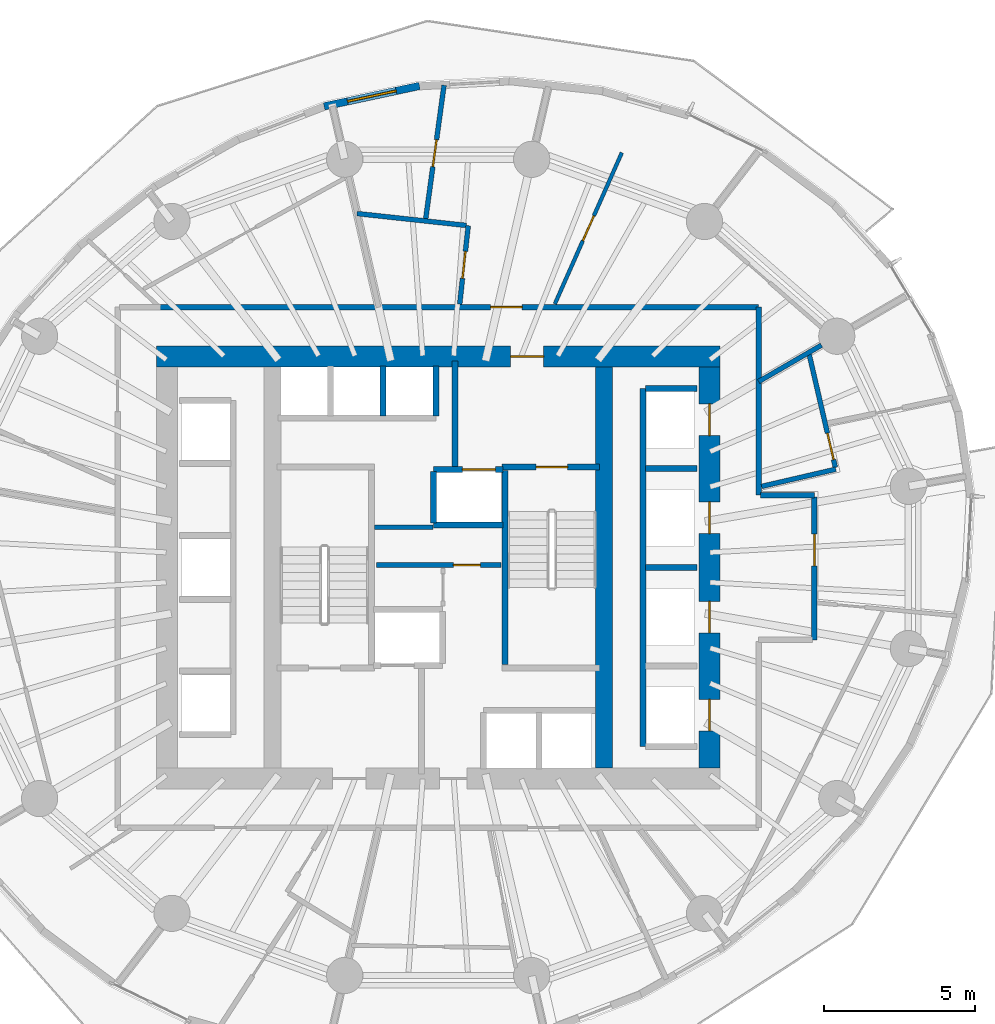
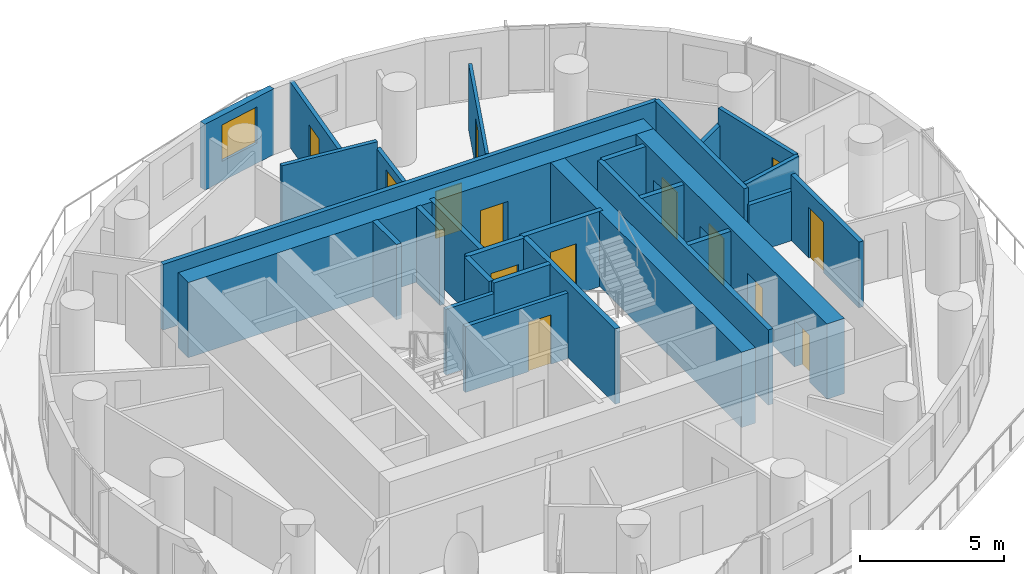
# One storey, part 9 of 15: 29 walls, 14 doors, 1 window, 15 openings.
"""IFC4 building model written with IfcOpenShell, lengths in metres."""

from ifc_helpers import new_model, si_unit, direction, frame, frame_2d, origin, place, context, subcontext, project, spatial, rectangle, extrude, material, layer, layer_set, type_object, element, fill, save


model = new_model("IFC4")

# Units and contexts
model_context = context("Model", 3, precision=1e-05, world=origin(), true_north=direction((0.0, 1.0)))
body_context = subcontext(model_context, "Body", "Model", "MODEL_VIEW")
ifc_project = project(units=[si_unit("LENGTHUNIT", "METRE"), si_unit("AREAUNIT", "SQUARE_METRE"), si_unit("VOLUMEUNIT", "CUBIC_METRE"), si_unit("PLANEANGLEUNIT", "RADIAN"), si_unit("MASSUNIT", "GRAM", prefix="KILO")], contexts=[model_context])

# Site, building, storey
site_placement = place(None, origin())
site = spatial("IfcSite", under=ifc_project, at=site_placement, CompositionType="ELEMENT")
building_placement = place(site_placement, origin())
building = spatial("IfcBuilding", under=site, at=building_placement, Name="Veldorim Arch Residences", CompositionType="ELEMENT")
storey_placement = place(building_placement, frame((0.0, 0.0, 109.280029296875)))
storey = spatial("IfcBuildingStorey", under=building, at=storey_placement, Name="L32", CompositionType="ELEMENT", Elevation=109.280029296875)

# Wall, opening, door
ifc_material_1 = material(Name="Acoustic Gypsum Board", Category="gypsum")
ifc_layer_1 = layer(ifc_material_1, 0.125, Name="Acoustic Stud Room Partition Wall 125")
ifc_layer_set_1 = layer_set([ifc_layer_1], Name="Acoustic Gypsum Board")
wall_type_1 = type_object("IfcWallType", Name="Acoustic Stud Room Partition Wall 125", PredefinedType="PARTITIONING", material=ifc_layer_set_1)
wall_1_placement = place(storey_placement, frame((38.091064453125, 37.756103515625, 0.0), z_axis=(0.0, 0.0, 1.0), x_axis=(-0.404874602407, -0.914372219791, 0.0)))
wall_1 = element("IfcWall", 1, at=wall_1_placement, inside=storey, type_object=wall_type_1, Name="L32 interior wall WL-RES-L32-023", PredefinedType="PARTITIONING", context=body_context, shape_type="SweptSolid", body=[
    extrude(rectangle(XDim=5.486083984375, YDim=0.125, at=frame_2d((2.7431640625, 0.0))), origin(), (0.0, 0.0, 1.0), 2.794921875),
])
opening_1_placement = place(wall_1_placement, frame((2.29296875, 0.0, 0.0)))
opening_1 = element("IfcOpeningElement", 2, at=opening_1_placement, cuts=wall_1, Name="Opening DR-INT", PredefinedType="OPENING", context=body_context, shape_type="SweptSolid", body=[
    extrude(rectangle(XDim=0.89990234375, YDim=2.10009765625, at=frame_2d((0.449951171875, 1.050048828125))), frame((0.0, 0.072509765625, 0.0), z_axis=(0.0, -1.0, 0.0), x_axis=(1.0, 0.0, 0.0)), (0.0, 0.0, 1.0), 0.14501953125),
])
ifc_material_2 = material(Name="Engineered Timber", Category="wood")
door_type_1 = type_object("IfcDoorType", Name="Apartment Internal Room Timber Door 900x2100", OperationType="SINGLE_SWING_LEFT", PredefinedType="DOOR", material=ifc_material_2)
door_1_placement = place(opening_1_placement, origin())
door_1 = element("IfcDoor", 3, at=door_1_placement, inside=storey, type_object=door_type_1, Name="L32 interior door DR-RES-L32-012", OperationType="SINGLE_SWING_RIGHT", OverallHeight=2.10009765625, OverallWidth=0.89990234375, PredefinedType="DOOR", context=body_context, shape_type="SweptSolid", body=[
    extrude(rectangle(XDim=0.89990234375, YDim=2.10009765625, at=frame_2d((0.449951171875, 1.050048828125))), frame((0.0, 0.02490234375, 0.0), z_axis=(0.0, -1.0, 0.0), x_axis=(1.0, 0.0, 0.0)), (0.0, 0.0, 1.0), 0.050048828125),
])
fill(opening_1, door_1)

# Walls
ifc_material_3 = material(Name="Lightweight Masonry Block & Gypsum", Category="masonry")
ifc_layer_2 = layer(ifc_material_3, 0.179931640625, Name="Compartment & Corridor Fire-Rated Party Wall 180")
ifc_layer_set_2 = layer_set([ifc_layer_2], Name="Lightweight Masonry Block & Gypsum")
wall_type_2 = type_object("IfcWallType", Name="Compartment & Corridor Fire-Rated Party Wall 180", PredefinedType="PARTITIONING", material=ifc_layer_set_2)
wall_2_placement = place(storey_placement, frame((42.6298828125, 32.6298828125, 0.0), z_axis=(0.0, 0.0, 1.0), x_axis=(0.0, -1.0, 0.0)))
element("IfcWall", 4, at=wall_2_placement, inside=storey, type_object=wall_type_2, Name="L32 interior wall WL-RES-L32-002", PredefinedType="PARTITIONING", context=body_context, shape_type="SweptSolid", body=[
    extrude(rectangle(XDim=6.22998046875, YDim=0.179931640625, at=frame_2d((3.114990234375, 0.0))), origin(), (0.0, 0.0, 1.0), 2.794921875),
])
wall_3_placement = place(storey_placement, frame((42.68994140625, 26.39990234375, 0.0), z_axis=(0.0, 0.0, 1.0), x_axis=(1.0, 0.0, 0.0)))
element("IfcWall", 5, at=wall_3_placement, inside=storey, type_object=wall_type_2, Name="L32 interior wall WL-RES-L32-003", PredefinedType="PARTITIONING", context=body_context, shape_type="SweptSolid", body=[
    extrude(rectangle(XDim=1.7900390625, YDim=0.179931640625, at=frame_2d((0.89501953125, 0.0))), origin(), (0.0, 0.0, 1.0), 2.100341796875),
])

# Wall, opening, door
wall_4_placement = place(storey_placement, frame((44.47998046875, 26.340087890625, 0.0), z_axis=(0.0, 0.0, 1.0), x_axis=(0.0, -1.0, 0.0)))
wall_4 = element("IfcWall", 6, at=wall_4_placement, inside=storey, type_object=wall_type_2, Name="L32 interior wall WL-RES-L32-004", PredefinedType="PARTITIONING", context=body_context, shape_type="SweptSolid", body=[
    extrude(rectangle(XDim=4.739990234375, YDim=0.179931640625, at=frame_2d((2.3701171875, 0.0))), origin(), (0.0, 0.0, 1.0), 2.794921875),
])
opening_2_placement = place(wall_4_placement, frame((1.238525390625, 0.0, 0.0)))
opening_2 = element("IfcOpeningElement", 7, at=opening_2_placement, cuts=wall_4, Name="Opening DR-FLT", PredefinedType="OPENING", context=body_context, shape_type="SweptSolid", body=[
    extrude(rectangle(XDim=1.050048828125, YDim=2.14990234375, at=frame_2d((0.52490234375, 1.074951171875))), frame((0.0, 0.099853515625, 0.0), z_axis=(0.0, -1.0, 0.0), x_axis=(1.0, 0.0, 0.0)), (0.0, 0.0, 1.0), 0.199951171875),
])
ifc_material_4 = material(Name="Fire-Rated Timber", Category="wood")
door_type_2 = type_object("IfcDoorType", Name="Apartment Entrance Solid-Core Fire Door 1050x2150", OperationType="SINGLE_SWING_LEFT", PredefinedType="DOOR", material=ifc_material_4)
door_2_placement = place(opening_2_placement, origin())
door_2 = element("IfcDoor", 8, at=door_2_placement, inside=storey, type_object=door_type_2, Name="L32 interior door DR-RES-L32-005", OperationType="SINGLE_SWING_LEFT", OverallHeight=2.14990234375, OverallWidth=1.050048828125, PredefinedType="DOOR", context=body_context, shape_type="SweptSolid", body=[
    extrude(rectangle(XDim=1.050048828125, YDim=2.14990234375, at=frame_2d((0.52490234375, 1.074951171875))), frame((0.0, 0.02490234375, 0.0), z_axis=(0.0, -1.0, 0.0), x_axis=(1.0, 0.0, 0.0)), (0.0, 0.0, 1.0), 0.050048828125),
])
fill(opening_2, door_2)

wall_5_placement = place(storey_placement, frame((22.73388671875, 32.6298828125, 0.0), z_axis=(0.0, 0.0, 1.0), x_axis=(1.0, 0.0, 0.0)))
wall_5 = element("IfcWall", 9, at=wall_5_placement, inside=storey, type_object=wall_type_2, Name="L32 interior wall WL-RES-L32-007", PredefinedType="PARTITIONING", context=body_context, shape_type="SweptSolid", body=[
    extrude(rectangle(XDim=19.89599609375, YDim=0.179931640625, at=frame_2d((9.947998046875, 0.0))), origin(), (0.0, 0.0, 1.0), 2.794921875),
])
opening_3_placement = place(wall_5_placement, frame((11.004150390625, 0.0, 0.0)))
opening_3 = element("IfcOpeningElement", 10, at=opening_3_placement, cuts=wall_5, Name="Opening DR-FLT2", PredefinedType="OPENING", context=body_context, shape_type="SweptSolid", body=[
    extrude(rectangle(XDim=1.050048828125, YDim=2.0, at=frame_2d((0.52490234375, 1.0))), frame((0.0, 0.099853515625, 0.0), z_axis=(0.0, -1.0, 0.0), x_axis=(1.0, 0.0, 0.0)), (0.0, 0.0, 1.0), 0.199951171875),
])
ifc_material_5 = material(Name="Fire-Rated Timber", Category="wood")
door_type_3 = type_object("IfcDoorType", Name="Apartment Entrance Low-Soffit Fire Door 1050x2000", OperationType="SINGLE_SWING_LEFT", PredefinedType="DOOR", material=ifc_material_5)
door_3_placement = place(opening_3_placement, origin())
door_3 = element("IfcDoor", 11, at=door_3_placement, inside=storey, type_object=door_type_3, Name="L32 interior door DR-RES-L32-010", OperationType="SINGLE_SWING_RIGHT", OverallHeight=2.0, OverallWidth=1.050048828125, PredefinedType="DOOR", context=body_context, shape_type="SweptSolid", body=[
    extrude(rectangle(XDim=1.050048828125, YDim=2.0, at=frame_2d((0.52490234375, 1.0))), frame((0.0, 0.02490234375, 0.0), z_axis=(0.0, -1.0, 0.0), x_axis=(1.0, 0.0, 0.0)), (0.0, 0.0, 1.0), 0.050048828125),
])
fill(opening_3, door_3)

# Wall
ifc_material_6 = material(Name="Concrete C50/60", Category="concrete")
ifc_layer_3 = layer(ifc_material_6, 0.199951171875, Name="Core Stair & Lift Shaft Enclosure Wall 200")
ifc_layer_set_3 = layer_set([ifc_layer_3], Name="Concrete C50/60")
wall_type_3 = type_object("IfcWallType", Name="Core Stair & Lift Shaft Enclosure Wall 200", PredefinedType="SHEAR", material=ifc_layer_set_3)
wall_6_placement = place(storey_placement, frame((34.2099609375, 20.780029296875, 0.0), z_axis=(0.0, 0.0, 1.0), x_axis=(0.0, 1.0, 0.0)))
element("IfcWall", 12, at=wall_6_placement, inside=storey, type_object=wall_type_3, Name="L32 shaft wall WL-SHF-L32-ST2-W", PredefinedType="SHEAR", context=body_context, shape_type="SweptSolid", body=[
    extrude(rectangle(XDim=6.43994140625, YDim=0.199951171875, at=frame_2d((3.219970703125, 0.0))), origin(), (0.0, 0.0, 1.0), 3.199951171875),
])

# Wall, opening, door
wall_7_placement = place(storey_placement, frame((34.110107421875, 27.330078125, 0.0), z_axis=(0.0, 0.0, 1.0), x_axis=(1.0, 0.0, 0.0)))
wall_7 = element("IfcWall", 13, at=wall_7_placement, inside=storey, type_object=wall_type_3, Name="L32 shaft wall WL-SHF-L32-ST2-N", PredefinedType="SHEAR", context=body_context, shape_type="SweptSolid", body=[
    extrude(rectangle(XDim=3.239990234375, YDim=0.199951171875, at=frame_2d((1.6201171875, 0.0))), origin(), (0.0, 0.0, 1.0), 3.199951171875),
])
opening_4_placement = place(wall_7_placement, frame((1.135009765625, 0.0, 0.0)))
opening_4 = element("IfcOpeningElement", 14, at=opening_4_placement, cuts=wall_7, Name="Opening DR-ST", PredefinedType="OPENING", context=body_context, shape_type="SweptSolid", body=[
    extrude(rectangle(XDim=1.050048828125, YDim=2.14990234375, at=frame_2d((0.52490234375, 1.074951171875))), frame((0.0, 0.10986328125, 0.0), z_axis=(0.0, -1.0, 0.0), x_axis=(1.0, 0.0, 0.0)), (0.0, 0.0, 1.0), 0.219970703125),
])
ifc_material_7 = material(Name="Fire-Rated Steel", Category="steel")
door_type_4 = type_object("IfcDoorType", Name="Exit Staircase Self-Closing Fire Door 1050x2150", OperationType="SINGLE_SWING_LEFT", PredefinedType="DOOR", material=ifc_material_7)
door_4_placement = place(opening_4_placement, origin())
door_4 = element("IfcDoor", 15, at=door_4_placement, inside=storey, type_object=door_type_4, Name="L32 interior door DR-L32-ST2", OperationType="SINGLE_SWING_RIGHT", OverallHeight=2.14990234375, OverallWidth=1.050048828125, PredefinedType="DOOR", context=body_context, shape_type="SweptSolid", body=[
    extrude(rectangle(XDim=1.050048828125, YDim=2.14990234375, at=frame_2d((0.52490234375, 1.074951171875))), frame((0.0, 0.02490234375, 0.0), z_axis=(0.0, -1.0, 0.0), x_axis=(1.0, 0.0, 0.0)), (0.0, 0.0, 1.0), 0.050048828125),
])
fill(opening_4, door_4)

# Wall
wall_8_placement = place(storey_placement, frame((32.550048828125, 27.35009765625, 0.0), z_axis=(0.0, 0.0, 1.0), x_axis=(0.0, 1.0, 0.0)))
element("IfcWall", 16, at=wall_8_placement, inside=storey, type_object=wall_type_3, Name="L32 shaft wall WL-FFL2-L32-W", PredefinedType="SHEAR", context=body_context, shape_type="SweptSolid", body=[
    extrude(rectangle(XDim=3.5, YDim=0.199951171875, at=frame_2d((1.75, 0.0))), origin(), (0.0, 0.0, 1.0), 3.199951171875),
])

# Wall, opening, door
wall_9_placement = place(storey_placement, frame((31.85009765625, 27.25, 0.0), z_axis=(0.0, 0.0, 1.0), x_axis=(1.0, 0.0, 0.0)))
wall_9 = element("IfcWall", 17, at=wall_9_placement, inside=storey, type_object=wall_type_3, Name="L32 shaft wall WL-FL02-L32-N", PredefinedType="SHEAR", context=body_context, shape_type="SweptSolid", body=[
    extrude(rectangle(XDim=2.2998046875, YDim=0.199951171875, at=frame_2d((1.14990234375, 0.0))), origin(), (0.0, 0.0, 1.0), 3.199951171875),
])
opening_5_placement = place(wall_9_placement, frame((0.949951171875, 0.0, 0.0)))
opening_5 = element("IfcOpeningElement", 18, at=opening_5_placement, cuts=wall_9, Name="Opening LD-FF", PredefinedType="OPENING", context=body_context, shape_type="SweptSolid", body=[
    extrude(rectangle(XDim=1.10009765625, YDim=2.14990234375, at=frame_2d((0.550048828125, 1.074951171875))), frame((0.0, 0.10986328125, 0.0), z_axis=(0.0, -1.0, 0.0), x_axis=(1.0, 0.0, 0.0)), (0.0, 0.0, 1.0), 0.219970703125),
])
ifc_material_8 = material(Name="Stainless Steel", Category="steel")
door_type_5 = type_object("IfcDoorType", Name="Firefighting Lift Bi-Parting Sliding Landing Door 1100x2150", OperationType="DOUBLE_DOOR_SLIDING", PredefinedType="DOOR", material=ifc_material_8)
door_5_placement = place(opening_5_placement, origin())
door_5 = element("IfcDoor", 19, at=door_5_placement, inside=storey, type_object=door_type_5, Name="L32 lift landing door LD-L32-FL02", OperationType="DOUBLE_DOOR_SLIDING", OverallHeight=2.14990234375, OverallWidth=1.10009765625, PredefinedType="DOOR", context=body_context, shape_type="SweptSolid", body=[
    extrude(rectangle(XDim=1.10009765625, YDim=2.14990234375, at=frame_2d((0.550048828125, 1.074951171875))), frame((0.0, 0.02490234375, 0.0), z_axis=(0.0, -1.0, 0.0), x_axis=(1.0, 0.0, 0.0)), (0.0, 0.0, 1.0), 0.050048828125),
])
fill(opening_5, door_5)

# Walls
wall_10_placement = place(storey_placement, frame((31.85009765625, 25.39990234375, 0.0), z_axis=(0.0, 0.0, 1.0), x_axis=(1.0, 0.0, 0.0)))
element("IfcWall", 20, at=wall_10_placement, inside=storey, type_object=wall_type_3, Name="L32 shaft wall WL-FL02-L32-S", PredefinedType="SHEAR", context=body_context, shape_type="SweptSolid", body=[
    extrude(rectangle(XDim=2.2998046875, YDim=0.199951171875, at=frame_2d((1.14990234375, 0.0))), origin(), (0.0, 0.0, 1.0), 3.199951171875),
])
wall_11_placement = place(storey_placement, frame((31.85009765625, 25.469970703125, 0.0), z_axis=(0.0, 0.0, 1.0), x_axis=(0.0, 1.0, 0.0)))
element("IfcWall", 21, at=wall_11_placement, inside=storey, type_object=wall_type_3, Name="L32 shaft wall WL-FL02-L32-W", PredefinedType="SHEAR", context=body_context, shape_type="SweptSolid", body=[
    extrude(rectangle(XDim=1.7099609375, YDim=0.199951171875, at=frame_2d((0.85498046875, 0.0))), origin(), (0.0, 0.0, 1.0), 3.199951171875),
])
wall_12_placement = place(storey_placement, frame((38.800048828125, 18.06005859375, 0.0), z_axis=(0.0, 0.0, 1.0), x_axis=(0.0, 1.0, 0.0)))
element("IfcWall", 22, at=wall_12_placement, inside=storey, type_object=wall_type_3, Name="L32 shaft wall WL-B1-L32-W", PredefinedType="SHEAR", context=body_context, shape_type="SweptSolid", body=[
    extrude(rectangle(XDim=11.8798828125, YDim=0.199951171875, at=frame_2d((5.93994140625, 0.0))), origin(), (0.0, 0.0, 1.0), 3.199951171875),
])
for number, where, z_axis, x_axis, name in (
    (23, (38.8701171875, 29.93994140625, 0.0), (0.0, 0.0, 1.0), (1.0, 0.0, 0.0), "L32 shaft wall WL-B1-L32-N"),
    (24, (38.8701171875, 24.0, 0.0), (0.0, 0.0, 1.0), (1.0, 0.0, 0.0), "L32 shaft wall WL-B1-L32-D2"),
    (25, (38.8701171875, 27.27490234375, 0.0), (0.0, 0.0, 1.0), (1.0, 0.0, 0.0), "L32 shaft wall WL-B1-L32-D3"),
):
    element("IfcWall", number, at=place(storey_placement, frame(where, z_axis=z_axis, x_axis=x_axis)), inside=storey, type_object=wall_type_3, Name=name, PredefinedType="SHEAR", context=body_context, shape_type="SweptSolid", body=[
        extrude(rectangle(XDim=1.7099609375, YDim=0.199951171875, at=frame_2d((0.85498046875, 0.0))), origin(), (0.0, 0.0, 1.0), 3.199951171875),
    ])
for number, where, z_axis, x_axis, name in (
    (26, (31.919921875, 29.02001953125, 0.0), (0.0, 0.0, 1.0), (0.0, 1.0, 0.0), "L32 shaft wall WL-B3-L32-E"),
    (27, (30.175048828125, 29.02001953125, 0.0), (0.0, 0.0, 1.0), (0.0, 1.0, 0.0), "L32 shaft wall WL-B3-L32-D2"),
):
    element("IfcWall", number, at=place(storey_placement, frame(where, z_axis=z_axis, x_axis=x_axis)), inside=storey, type_object=wall_type_3, Name=name, PredefinedType="SHEAR", context=body_context, shape_type="SweptSolid", body=[
        extrude(rectangle(XDim=1.659912109375, YDim=0.199951171875, at=frame_2d((0.830078125, 0.0))), origin(), (0.0, 0.0, 1.0), 3.199951171875),
    ])
ifc_material_9 = material(Name="Concrete C60/75", Category="concrete")
ifc_layer_4 = layer(ifc_material_9, 0.56005859375, Name="Internal Core Shear Web Wall 560")
ifc_layer_set_4 = layer_set([ifc_layer_4], Name="Concrete C60/75")
wall_type_4 = type_object("IfcWallType", Name="Internal Core Shear Web Wall 560", PredefinedType="SHEAR", material=ifc_layer_set_4)
wall_13_placement = place(storey_placement, frame((37.5, 17.35009765625, 0.0), z_axis=(0.0, 0.0, 1.0), x_axis=(0.0, 1.0, 0.0)))
element("IfcWall", 28, at=wall_13_placement, inside=storey, type_object=wall_type_4, Name="L32 core east internal shear web", PredefinedType="SHEAR", context=body_context, shape_type="SweptSolid", body=[
    extrude(rectangle(XDim=13.2998046875, YDim=0.56005859375, at=frame_2d((6.64990234375, 0.0))), origin(), (0.0, 0.0, 1.0), 3.199951171875),
])

# Wall, opening, door
ifc_material_10 = material(Name="Concrete C60/75", Category="concrete")
ifc_layer_5 = layer(ifc_material_10, 0.699951171875, Name="Mid-Lower Central Core Shear Wall 700")
ifc_layer_set_5 = layer_set([ifc_layer_5], Name="Concrete C60/75")
wall_type_5 = type_object("IfcWallType", Name="Mid-Lower Central Core Shear Wall 700", PredefinedType="SHEAR", material=ifc_layer_set_5)
wall_14_placement = place(storey_placement, frame((22.64990234375, 31.0, 0.0), z_axis=(0.0, 0.0, 1.0), x_axis=(1.0, 0.0, 0.0)))
wall_14 = element("IfcWall", 29, at=wall_14_placement, inside=storey, type_object=wall_type_5, Name="L32 central core north shear wall", PredefinedType="SHEAR", context=body_context, shape_type="SweptSolid", body=[
    extrude(rectangle(XDim=18.7001953125, YDim=0.699951171875, at=frame_2d((9.35009765625, 0.0))), origin(), (0.0, 0.0, 1.0), 3.199951171875),
])
opening_6_placement = place(wall_14_placement, frame((11.75, 0.0, 0.0)))
opening_6 = element("IfcOpeningElement", 30, at=opening_6_placement, cuts=wall_14, Name="Opening DR-FFL", PredefinedType="OPENING", context=body_context, shape_type="SweptSolid", body=[
    extrude(rectangle(XDim=1.10009765625, YDim=2.14990234375, at=frame_2d((0.550048828125, 1.074951171875))), frame((0.0, 0.35986328125, 0.0), z_axis=(0.0, -1.0, 0.0), x_axis=(1.0, 0.0, 0.0)), (0.0, 0.0, 1.0), 0.719970703125),
])
ifc_material_11 = material(Name="Fire-Rated Steel & Vision Glass", Category="steel")
door_type_6 = type_object("IfcDoorType", Name="Firefighting Lobby Smoke-Stop Fire Door 1100x2150", OperationType="SINGLE_SWING_LEFT", PredefinedType="DOOR", material=ifc_material_11)
door_6_placement = place(opening_6_placement, origin())
door_6 = element("IfcDoor", 31, at=door_6_placement, inside=storey, type_object=door_type_6, Name="L32 interior door DR-L32-FFL2", OperationType="SINGLE_SWING_LEFT", OverallHeight=2.14990234375, OverallWidth=1.10009765625, PredefinedType="DOOR", context=body_context, shape_type="SweptSolid", body=[
    extrude(rectangle(XDim=1.10009765625, YDim=2.14990234375, at=frame_2d((0.550048828125, 1.074951171875))), frame((0.0, 0.02490234375, 0.0), z_axis=(0.0, -1.0, 0.0), x_axis=(1.0, 0.0, 0.0)), (0.0, 0.0, 1.0), 0.050048828125),
])
fill(opening_6, door_6)

# Wall, openings, doors
wall_15_placement = place(storey_placement, frame((41.0, 17.35009765625, 0.0), z_axis=(0.0, 0.0, 1.0), x_axis=(0.0, 1.0, 0.0)))
wall_15 = element("IfcWall", 32, at=wall_15_placement, inside=storey, type_object=wall_type_5, Name="L32 central core east shear wall", PredefinedType="SHEAR", context=body_context, shape_type="SweptSolid", body=[
    extrude(rectangle(XDim=13.2998046875, YDim=0.699951171875, at=frame_2d((6.64990234375, 0.0))), origin(), (0.0, 0.0, 1.0), 3.199951171875),
])
opening_7_placement = place(wall_15_placement, frame((1.22509765625, 0.0, 0.0)))
opening_7 = element("IfcOpeningElement", 33, at=opening_7_placement, cuts=wall_15, Name="Opening LD-PS2", PredefinedType="OPENING", context=body_context, shape_type="SweptSolid", body=[
    extrude(rectangle(XDim=1.050048828125, YDim=2.0, at=frame_2d((0.52490234375, 1.0))), frame((0.0, 0.35986328125, 0.0), z_axis=(0.0, -1.0, 0.0), x_axis=(1.0, 0.0, 0.0)), (0.0, 0.0, 1.0), 0.719970703125),
])
opening_8_placement = place(wall_15_placement, frame((4.47509765625, 0.0, 0.0)))
opening_8 = element("IfcOpeningElement", 34, at=opening_8_placement, cuts=wall_15, Name="Opening LD-PS2", PredefinedType="OPENING", context=body_context, shape_type="SweptSolid", body=[
    extrude(rectangle(XDim=1.050048828125, YDim=2.0, at=frame_2d((0.52490234375, 1.0))), frame((0.0, 0.35986328125, 0.0), z_axis=(0.0, -1.0, 0.0), x_axis=(1.0, 0.0, 0.0)), (0.0, 0.0, 1.0), 0.719970703125),
])
opening_9_placement = place(wall_15_placement, frame((7.77490234375, 0.0, 0.0)))
opening_9 = element("IfcOpeningElement", 35, at=opening_9_placement, cuts=wall_15, Name="Opening LD-PS2", PredefinedType="OPENING", context=body_context, shape_type="SweptSolid", body=[
    extrude(rectangle(XDim=1.050048828125, YDim=2.0, at=frame_2d((0.52490234375, 1.0))), frame((0.0, 0.35986328125, 0.0), z_axis=(0.0, -1.0, 0.0), x_axis=(1.0, 0.0, 0.0)), (0.0, 0.0, 1.0), 0.719970703125),
])
opening_10_placement = place(wall_15_placement, frame((11.02490234375, 0.0, 0.0)))
opening_10 = element("IfcOpeningElement", 36, at=opening_10_placement, cuts=wall_15, Name="Opening LD-PS2", PredefinedType="OPENING", context=body_context, shape_type="SweptSolid", body=[
    extrude(rectangle(XDim=1.050048828125, YDim=2.0, at=frame_2d((0.52490234375, 1.0))), frame((0.0, 0.35986328125, 0.0), z_axis=(0.0, -1.0, 0.0), x_axis=(1.0, 0.0, 0.0)), (0.0, 0.0, 1.0), 0.719970703125),
])
ifc_material_12 = material(Name="Stainless Steel", Category="steel")
door_type_7 = type_object("IfcDoorType", Name="Passenger Lift Low-Soffit Sliding Door 1050x2000", OperationType="DOUBLE_DOOR_SLIDING", PredefinedType="DOOR", material=ifc_material_12)
door_7_placement = place(opening_7_placement, origin())
door_7 = element("IfcDoor", 37, at=door_7_placement, inside=storey, type_object=door_type_7, Name="L32 lift landing door LD-L32-PL-01", OperationType="DOUBLE_DOOR_SLIDING", OverallHeight=2.0, OverallWidth=1.050048828125, PredefinedType="DOOR", context=body_context, shape_type="SweptSolid", body=[
    extrude(rectangle(XDim=1.050048828125, YDim=2.0, at=frame_2d((0.52490234375, 1.0))), frame((0.0, 0.02490234375, 0.0), z_axis=(0.0, -1.0, 0.0), x_axis=(1.0, 0.0, 0.0)), (0.0, 0.0, 1.0), 0.050048828125),
])
fill(opening_7, door_7)
door_8_placement = place(opening_8_placement, origin())
door_8 = element("IfcDoor", 38, at=door_8_placement, inside=storey, type_object=door_type_7, Name="L32 lift landing door LD-L32-PL-02", OperationType="DOUBLE_DOOR_SLIDING", OverallHeight=2.0, OverallWidth=1.050048828125, PredefinedType="DOOR", context=body_context, shape_type="SweptSolid", body=[
    extrude(rectangle(XDim=1.050048828125, YDim=2.0, at=frame_2d((0.52490234375, 1.0))), frame((0.0, 0.02490234375, 0.0), z_axis=(0.0, -1.0, 0.0), x_axis=(1.0, 0.0, 0.0)), (0.0, 0.0, 1.0), 0.050048828125),
])
fill(opening_8, door_8)
door_9_placement = place(opening_9_placement, origin())
door_9 = element("IfcDoor", 39, at=door_9_placement, inside=storey, type_object=door_type_7, Name="L32 lift landing door LD-L32-PL-03", OperationType="DOUBLE_DOOR_SLIDING", OverallHeight=2.0, OverallWidth=1.050048828125, PredefinedType="DOOR", context=body_context, shape_type="SweptSolid", body=[
    extrude(rectangle(XDim=1.050048828125, YDim=2.0, at=frame_2d((0.52490234375, 1.0))), frame((0.0, 0.02490234375, 0.0), z_axis=(0.0, -1.0, 0.0), x_axis=(1.0, 0.0, 0.0)), (0.0, 0.0, 1.0), 0.050048828125),
])
fill(opening_9, door_9)
door_10_placement = place(opening_10_placement, origin())
door_10 = element("IfcDoor", 40, at=door_10_placement, inside=storey, type_object=door_type_7, Name="L32 lift landing door LD-L32-PL-04", OperationType="DOUBLE_DOOR_SLIDING", OverallHeight=2.0, OverallWidth=1.050048828125, PredefinedType="DOOR", context=body_context, shape_type="SweptSolid", body=[
    extrude(rectangle(XDim=1.050048828125, YDim=2.0, at=frame_2d((0.52490234375, 1.0))), frame((0.0, 0.02490234375, 0.0), z_axis=(0.0, -1.0, 0.0), x_axis=(1.0, 0.0, 0.0)), (0.0, 0.0, 1.0), 0.050048828125),
])
fill(opening_10, door_10)

# Wall, opening, window
ifc_material_13 = material(Name="Precast concrete C40/50", Category="concrete")
ifc_layer_6 = layer(ifc_material_13, 0.25, Name="Tower Terracotta Spandrel & Pier Wall 250")
ifc_layer_set_6 = layer_set([ifc_layer_6], Name="Precast concrete C40/50")
wall_type_6 = type_object("IfcWallType", Name="Tower Terracotta Spandrel & Pier Wall 250", PredefinedType="SOLIDWALL", material=ifc_layer_set_6)
wall_16_placement = place(storey_placement, frame((28.216796875, 39.29296875, 0.0), z_axis=(0.0, 0.0, 1.0), x_axis=(0.977758229837, 0.209735175845, 0.0)))
wall_16 = element("IfcWall", 41, at=wall_16_placement, inside=storey, type_object=wall_type_6, Name="L32 terracotta facade wall 08", PredefinedType="SOLIDWALL", context=body_context, shape_type="SweptSolid", body=[
    extrude(rectangle(XDim=3.236083984375, YDim=0.25, at=frame_2d((1.6181640625, 0.0))), origin(), (0.0, 0.0, 1.0), 2.800048828125),
])
opening_11_placement = place(wall_16_placement, frame((0.79296875, 0.0, 0.85009765625)))
opening_11 = element("IfcOpeningElement", 42, at=opening_11_placement, cuts=wall_16, Name="Opening WN-03", PredefinedType="OPENING", context=body_context, shape_type="SweptSolid", body=[
    extrude(rectangle(XDim=1.64990234375, YDim=1.550048828125, at=frame_2d((0.824951171875, 0.77490234375))), frame((0.0, 0.135009765625, 0.0), z_axis=(0.0, -1.0, 0.0), x_axis=(1.0, 0.0, 0.0)), (0.0, 0.0, 1.0), 0.27001953125),
])
ifc_material_14 = material(Name="Laminated Low-E Glass", Category="glass")
window_type = type_object("IfcWindowType", Name="Residential Wide Window 1650x1550", PartitioningType="SINGLE_PANEL", PredefinedType="WINDOW", material=ifc_material_14)
window_placement = place(opening_11_placement, origin())
window = element("IfcWindow", 43, at=window_placement, inside=storey, type_object=window_type, Name="L32 solar-control facade window 08", OverallHeight=1.550048828125, OverallWidth=1.64990234375, PartitioningType="SINGLE_PANEL", PredefinedType="WINDOW", context=body_context, shape_type="SweptSolid", body=[
    extrude(rectangle(XDim=1.64990234375, YDim=1.550048828125, at=frame_2d((0.824951171875, 0.77490234375))), frame((0.0, 0.030029296875, 0.0), z_axis=(0.0, -1.0, 0.0), x_axis=(1.0, 0.0, 0.0)), (0.0, 0.0, 1.0), 0.06005859375),
])
fill(opening_11, window)

# Wall, opening, door
ifc_material_15 = material(Name="Moisture-Resistant Gypsum & Stud", Category="gypsum")
ifc_layer_7 = layer(ifc_material_15, 0.159912109375, Name="Wet-Area Moisture-Resistant Plumbing Wall 160")
ifc_layer_set_7 = layer_set([ifc_layer_7], Name="Moisture-Resistant Gypsum & Stud")
wall_type_7 = type_object("IfcWallType", Name="Wet-Area Moisture-Resistant Plumbing Wall 160", PredefinedType="PLUMBINGWALL", material=ifc_layer_set_7)
wall_17_placement = place(storey_placement, frame((29.949951171875, 24.080078125, 0.0), z_axis=(0.0, 0.0, 1.0), x_axis=(1.0, 0.0, 0.0)))
wall_17 = element("IfcWall", 44, at=wall_17_placement, inside=storey, type_object=wall_type_7, Name="L32 interior wall WL-CA-L32-1", PredefinedType="PLUMBINGWALL", context=body_context, shape_type="SweptSolid", body=[
    extrude(rectangle(XDim=4.130126953125, YDim=0.159912109375, at=frame_2d((2.06494140625, 0.0))), origin(), (0.0, 0.0, 1.0), 2.794921875),
])
opening_12_placement = place(wall_17_placement, frame((2.550048828125, 0.0, 0.0)))
opening_12 = element("IfcOpeningElement", 45, at=opening_12_placement, cuts=wall_17, Name="Opening DR-WC", PredefinedType="OPENING", context=body_context, shape_type="SweptSolid", body=[
    extrude(rectangle(XDim=0.89990234375, YDim=2.10009765625, at=frame_2d((0.449951171875, 1.050048828125))), frame((0.0, 0.08984375, 0.0), z_axis=(0.0, -1.0, 0.0), x_axis=(1.0, 0.0, 0.0)), (0.0, 0.0, 1.0), 0.179931640625),
])
ifc_material_16 = material(Name="Laminate Timber", Category="wood")
door_type_8 = type_object("IfcDoorType", Name="Bathroom & Accessible WC Moisture-Sealed Door 900x2100", OperationType="SINGLE_SWING_LEFT", PredefinedType="DOOR", material=ifc_material_16)
door_11_placement = place(opening_12_placement, origin())
door_11 = element("IfcDoor", 46, at=door_11_placement, inside=storey, type_object=door_type_8, Name="L32 interior door DR-L32-CA1", OperationType="SINGLE_SWING_LEFT", OverallHeight=2.10009765625, OverallWidth=0.89990234375, PredefinedType="DOOR", context=body_context, shape_type="SweptSolid", body=[
    extrude(rectangle(XDim=0.89990234375, YDim=2.10009765625, at=frame_2d((0.449951171875, 1.050048828125))), frame((0.0, 0.02490234375, 0.0), z_axis=(0.0, -1.0, 0.0), x_axis=(1.0, 0.0, 0.0)), (0.0, 0.0, 1.0), 0.050048828125),
])
fill(opening_12, door_11)

# Walls
wall_18_placement = place(storey_placement, frame((29.889892578125, 25.330078125, 0.0), z_axis=(0.0, 0.0, 1.0), x_axis=(1.0, 0.0, 0.0)))
element("IfcWall", 47, at=wall_18_placement, inside=storey, type_object=wall_type_7, Name="L32 interior wall WL-CA-L32-N", PredefinedType="PLUMBINGWALL", context=body_context, shape_type="SweptSolid", body=[
    extrude(rectangle(XDim=1.940185546875, YDim=0.159912109375, at=frame_2d((0.97021484375, 0.0))), origin(), (0.0, 0.0, 1.0), 2.794921875),
])
wall_19_placement = place(storey_placement, frame((42.727294921875, 26.6875, 0.0), z_axis=(0.0, 0.0, 1.0), x_axis=(0.974262333638, 0.225417180479, 0.0)))
element("IfcWall", 48, at=wall_19_placement, inside=storey, type_object=wall_type_7, Name="L32 interior wall WL-RES-L32-018", PredefinedType="PLUMBINGWALL", context=body_context, shape_type="SweptSolid", body=[
    extrude(rectangle(XDim=2.525634765625, YDim=0.159912109375, at=frame_2d((1.2626953125, 0.0))), origin(), (0.0, 0.0, 1.0), 2.794921875),
])

# Wall, opening, door
wall_20_placement = place(storey_placement, frame((45.17431640625, 27.3154296875, 0.0), z_axis=(0.0, 0.0, 1.0), x_axis=(-0.225561032487, 0.974229039099, 0.0)))
wall_20 = element("IfcWall", 49, at=wall_20_placement, inside=storey, type_object=wall_type_7, Name="L32 interior wall WL-RES-L32-019", PredefinedType="PLUMBINGWALL", context=body_context, shape_type="SweptSolid", body=[
    extrude(rectangle(XDim=3.913818359375, YDim=0.159912109375, at=frame_2d((1.95703125, 0.0))), origin(), (0.0, 0.0, 1.0), 2.794921875),
])
opening_13_placement = place(wall_20_placement, frame((0.266357421875, 0.0, 0.0)))
opening_13 = element("IfcOpeningElement", 50, at=opening_13_placement, cuts=wall_20, Name="Opening DR-INT", PredefinedType="OPENING", context=body_context, shape_type="SweptSolid", body=[
    extrude(rectangle(XDim=0.89990234375, YDim=2.10009765625, at=frame_2d((0.449951171875, 1.050048828125))), frame((0.0, 0.08984375, 0.0), z_axis=(0.0, -1.0, 0.0), x_axis=(1.0, 0.0, 0.0)), (0.0, 0.0, 1.0), 0.179931640625),
])
door_12_placement = place(opening_13_placement, origin())
door_12 = element("IfcDoor", 51, at=door_12_placement, inside=storey, type_object=door_type_1, Name="L32 interior door DR-RES-L32-009", OperationType="SINGLE_SWING_LEFT", OverallHeight=2.10009765625, OverallWidth=0.89990234375, PredefinedType="DOOR", context=body_context, shape_type="SweptSolid", body=[
    extrude(rectangle(XDim=0.89990234375, YDim=2.10009765625, at=frame_2d((0.449951171875, 1.050048828125))), frame((0.0, 0.02490234375, 0.0), z_axis=(0.0, -1.0, 0.0), x_axis=(1.0, 0.0, 0.0)), (0.0, 0.0, 1.0), 0.050048828125),
])
fill(opening_13, door_12)

# Wall
wall_21_placement = place(storey_placement, frame((42.6298828125, 30.164794921875, 0.0), z_axis=(0.0, 0.0, 1.0), x_axis=(0.865092804374, 0.501611841786, 0.0)))
element("IfcWall", 52, at=wall_21_placement, inside=storey, type_object=wall_type_7, Name="L32 interior wall WL-RES-L32-020", PredefinedType="PLUMBINGWALL", context=body_context, shape_type="SweptSolid", body=[
    extrude(rectangle(XDim=2.4072265625, YDim=0.159912109375, at=frame_2d((1.20361328125, 0.0))), origin(), (0.0, 0.0, 1.0), 2.100341796875),
])

# Wall, opening, door
wall_22_placement = place(storey_placement, frame((31.57568359375, 35.490478515625, 0.0), z_axis=(0.0, 0.0, 1.0), x_axis=(0.136019307251, 0.990706186543, 0.0)))
wall_22 = element("IfcWall", 53, at=wall_22_placement, inside=storey, type_object=wall_type_7, Name="L32 interior wall WL-RES-L32-022", PredefinedType="PLUMBINGWALL", context=body_context, shape_type="SweptSolid", body=[
    extrude(rectangle(XDim=4.544677734375, YDim=0.159912109375, at=frame_2d((2.2724609375, 0.0))), origin(), (0.0, 0.0, 1.0), 2.794921875),
])
opening_14_placement = place(wall_22_placement, frame((1.822265625, 0.0, 0.0)))
opening_14 = element("IfcOpeningElement", 54, at=opening_14_placement, cuts=wall_22, Name="Opening DR-WC", PredefinedType="OPENING", context=body_context, shape_type="SweptSolid", body=[
    extrude(rectangle(XDim=0.89990234375, YDim=2.10009765625, at=frame_2d((0.449951171875, 1.050048828125))), frame((0.0, 0.08984375, 0.0), z_axis=(0.0, -1.0, 0.0), x_axis=(1.0, 0.0, 0.0)), (0.0, 0.0, 1.0), 0.179931640625),
])
door_13_placement = place(opening_14_placement, origin())
door_13 = element("IfcDoor", 55, at=door_13_placement, inside=storey, type_object=door_type_8, Name="L32 interior door DR-RES-L32-011", OperationType="SINGLE_SWING_LEFT", OverallHeight=2.10009765625, OverallWidth=0.89990234375, PredefinedType="DOOR", context=body_context, shape_type="SweptSolid", body=[
    extrude(rectangle(XDim=0.89990234375, YDim=2.10009765625, at=frame_2d((0.449951171875, 1.050048828125))), frame((0.0, 0.02490234375, 0.0), z_axis=(0.0, -1.0, 0.0), x_axis=(1.0, 0.0, 0.0)), (0.0, 0.0, 1.0), 0.050048828125),
])
fill(opening_14, door_13)

wall_23_placement = place(storey_placement, frame((32.71337890625, 32.7294921875, 0.0), z_axis=(0.0, 0.0, 1.0), x_axis=(0.108009167528, 0.994149898018, 0.0)))
wall_23 = element("IfcWall", 56, at=wall_23_placement, inside=storey, type_object=wall_type_7, Name="L32 interior wall WL-RES-L32-024", PredefinedType="PLUMBINGWALL", context=body_context, shape_type="SweptSolid", body=[
    extrude(rectangle(XDim=2.6220703125, YDim=0.159912109375, at=frame_2d((1.31103515625, 0.0))), origin(), (0.0, 0.0, 1.0), 2.4814453125),
])
opening_15_placement = place(wall_23_placement, frame((0.861083984375, 0.0, 0.0)))
opening_15 = element("IfcOpeningElement", 57, at=opening_15_placement, cuts=wall_23, Name="Opening DR-INT", PredefinedType="OPENING", context=body_context, shape_type="SweptSolid", body=[
    extrude(rectangle(XDim=0.89990234375, YDim=2.10009765625, at=frame_2d((0.449951171875, 1.050048828125))), frame((0.0, 0.08984375, 0.0), z_axis=(0.0, -1.0, 0.0), x_axis=(1.0, 0.0, 0.0)), (0.0, 0.0, 1.0), 0.179931640625),
])
door_14_placement = place(opening_15_placement, origin())
door_14 = element("IfcDoor", 58, at=door_14_placement, inside=storey, type_object=door_type_1, Name="L32 interior door DR-RES-L32-014", OperationType="SINGLE_SWING_RIGHT", OverallHeight=2.10009765625, OverallWidth=0.89990234375, PredefinedType="DOOR", context=body_context, shape_type="SweptSolid", body=[
    extrude(rectangle(XDim=0.89990234375, YDim=2.10009765625, at=frame_2d((0.449951171875, 1.050048828125))), frame((0.0, 0.02490234375, 0.0), z_axis=(0.0, -1.0, 0.0), x_axis=(1.0, 0.0, 0.0)), (0.0, 0.0, 1.0), 0.050048828125),
])
fill(opening_15, door_14)

# Wall
wall_24_placement = place(storey_placement, frame((32.93701171875, 35.3427734375, 0.0), z_axis=(0.0, 0.0, 1.0), x_axis=(-0.994156491352, 0.107948463181, 0.0)))
element("IfcWall", 59, at=wall_24_placement, inside=storey, type_object=wall_type_7, Name="L32 interior wall WL-RES-L32-025", PredefinedType="PLUMBINGWALL", context=body_context, shape_type="SweptSolid", body=[
    extrude(rectangle(XDim=3.64794921875, YDim=0.159912109375, at=frame_2d((1.823974609375, 0.0))), origin(), (0.0, 0.0, 1.0), 2.794921875),
])

save(model, "model.ifc")
